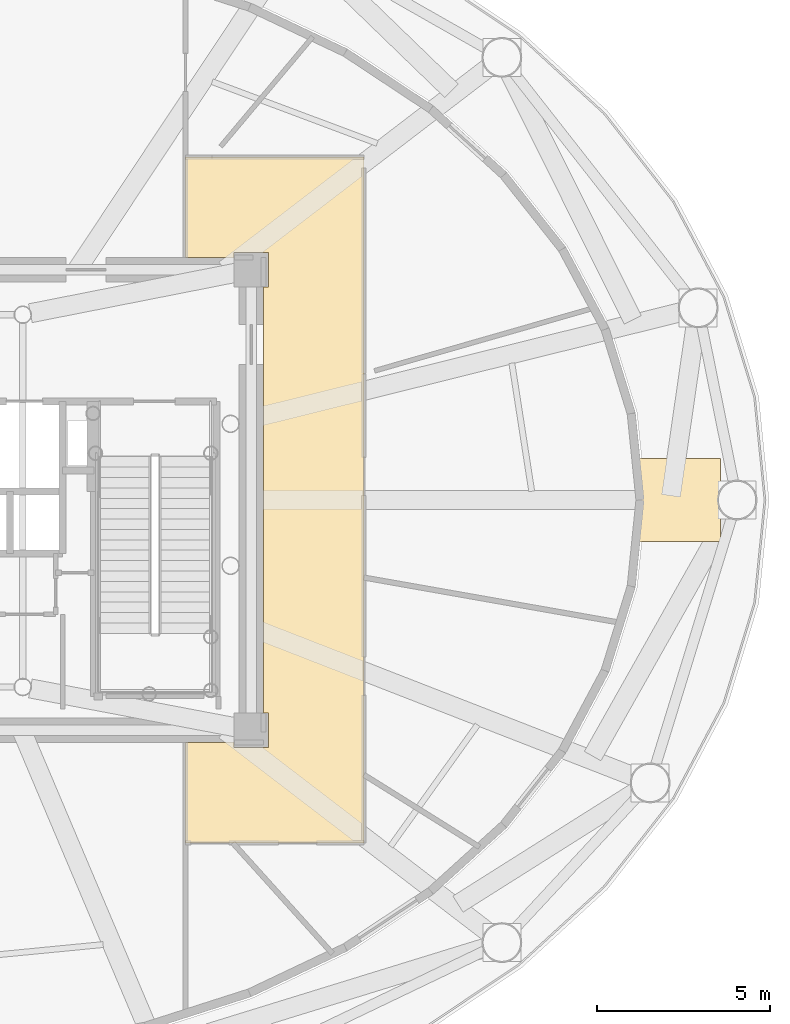
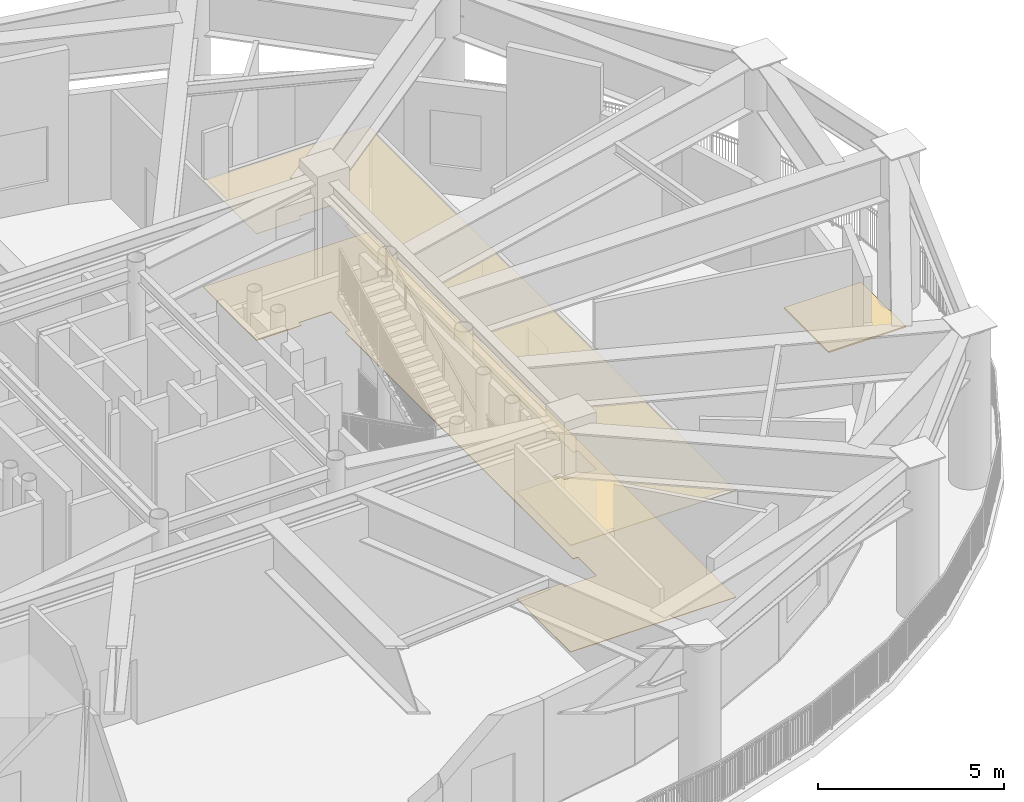
# One storey, part 14 of 14: 3 coverings.
"""IFC4 building model written with IfcOpenShell, lengths in metres."""

from ifc_helpers import new_model, si_unit, direction, frame, origin, place, context, subcontext, project, spatial, polyline, outline, extrude, material, layer, layer_set, type_object, element, save


model = new_model("IFC4")

# Units and contexts
model_context = context("Model", 3, precision=1e-05, world=origin(), true_north=direction((0.0, 1.0)))
body_context = subcontext(model_context, "Body", "Model", "MODEL_VIEW")
ifc_project = project(units=[si_unit("LENGTHUNIT", "METRE"), si_unit("AREAUNIT", "SQUARE_METRE"), si_unit("VOLUMEUNIT", "CUBIC_METRE"), si_unit("PLANEANGLEUNIT", "RADIAN"), si_unit("MASSUNIT", "GRAM", prefix="KILO")], contexts=[model_context])

# Site, building, storey
site_placement = place(None, origin())
site = spatial("IfcSite", under=ifc_project, at=site_placement, CompositionType="ELEMENT")
building_placement = place(site_placement, origin())
building = spatial("IfcBuilding", under=site, at=building_placement, Name="Linh Dai School and Residence Tower", CompositionType="ELEMENT")
storey_placement = place(building_placement, frame((0.0, 0.0, 262.800048828125)))
storey = spatial("IfcBuildingStorey", under=building, at=storey_placement, Name="L65", CompositionType="ELEMENT", Elevation=262.800048828125)

# Coverings
ifc_material_1 = material(Name="Mineral Fibre Acoustic Suspended Ceiling", Category="masonry")
ifc_layer_1 = layer(ifc_material_1, 0.02001953125)
ifc_layer_set_1 = layer_set([ifc_layer_1], Name="Mineral Fibre Acoustic Suspended Ceiling")
covering_type_1 = type_object("IfcCoveringType", Name="COV-CEIL-AC-20", PredefinedType="CEILING", material=ifc_layer_set_1)
covering_1_placement = place(storey_placement, frame((0.0, 0.0, 3.5)))
element("IfcCovering", 1, at=covering_1_placement, inside=storey, type_object=covering_type_1, Name="L65 Plant and Refuge Access Corridor East Suspended Ceiling", PredefinedType="CEILING", context=body_context, shape_type="SweptSolid", body=[
    extrude(outline(polyline([(43.550048828125, 20.0), (44.949951171875, 20.0), (44.949951171875, 19.85009765625), (45.949951171875, 19.85009765625), (45.949951171875, 20.85009765625), (45.800048828125, 20.85009765625), (45.800048828125, 33.14990234375), (45.949951171875, 33.14990234375), (45.949951171875, 34.14990234375), (44.949951171875, 34.14990234375), (44.949951171875, 34.0), (43.550048828125, 34.0), (43.550048828125, 36.89990234375), (48.699951171875, 36.89990234375), (48.699951171875, 17.10009765625), (43.550048828125, 17.10009765625), (43.550048828125, 20.0)])), origin(), (0.0, 0.0, 1.0), 0.02001953125),
])
ifc_material_2 = material(Name="Polished Terrazzo Floor Finish", Category="masonry")
ifc_layer_2 = layer(ifc_material_2, 0.02490234375)
ifc_layer_set_2 = layer_set([ifc_layer_2], Name="Polished Terrazzo Floor Finish")
covering_type_2 = type_object("IfcCoveringType", Name="COV-FLR-TRZ-25", PredefinedType="FLOORING", material=ifc_layer_set_2)
covering_2_placement = place(storey_placement, origin())
element("IfcCovering", 2, at=covering_2_placement, inside=storey, type_object=covering_type_2, Name="L65 Plant and Refuge Access Corridor East Floor Finish", PredefinedType="FLOORING", context=body_context, shape_type="SweptSolid", body=[
    extrude(outline(polyline([(43.550048828125, 20.0), (44.949951171875, 20.0), (44.949951171875, 19.85009765625), (45.949951171875, 19.85009765625), (45.949951171875, 20.85009765625), (45.800048828125, 20.85009765625), (45.800048828125, 33.14990234375), (45.949951171875, 33.14990234375), (45.949951171875, 34.14990234375), (44.949951171875, 34.14990234375), (44.949951171875, 34.0), (43.550048828125, 34.0), (43.550048828125, 36.89990234375), (48.699951171875, 36.89990234375), (48.699951171875, 17.10009765625), (43.550048828125, 17.10009765625), (43.550048828125, 20.0)])), origin(), (0.0, 0.0, 1.0), 0.02001953125),
])
ifc_material_3 = material(Name="TPO Insulated Waterproofing Roof Membrane", Category="masonry")
ifc_layer_3 = layer(ifc_material_3, 0.044921875)
ifc_layer_set_3 = layer_set([ifc_layer_3], Name="TPO Insulated Waterproofing Roof Membrane")
covering_type_3 = type_object("IfcCoveringType", Name="COV-ROOF-MEM-45", PredefinedType="ROOFING", material=ifc_layer_set_3)
covering_3_placement = place(storey_placement, origin())
element("IfcCovering", 3, at=covering_3_placement, inside=storey, type_object=covering_type_3, Name="L65 Deck Waterproofing Membrane Zone", PredefinedType="ROOFING", context=body_context, shape_type="SweptSolid", body=[
    extrude(outline(polyline([(56.60009765625, 25.800048828125), (59.0, 25.800048828125), (59.0, 28.199951171875), (56.60009765625, 28.199951171875), (56.60009765625, 25.800048828125)])), origin(), (0.0, 0.0, 1.0), 0.044921875),
])

save(model, "model.ifc")
